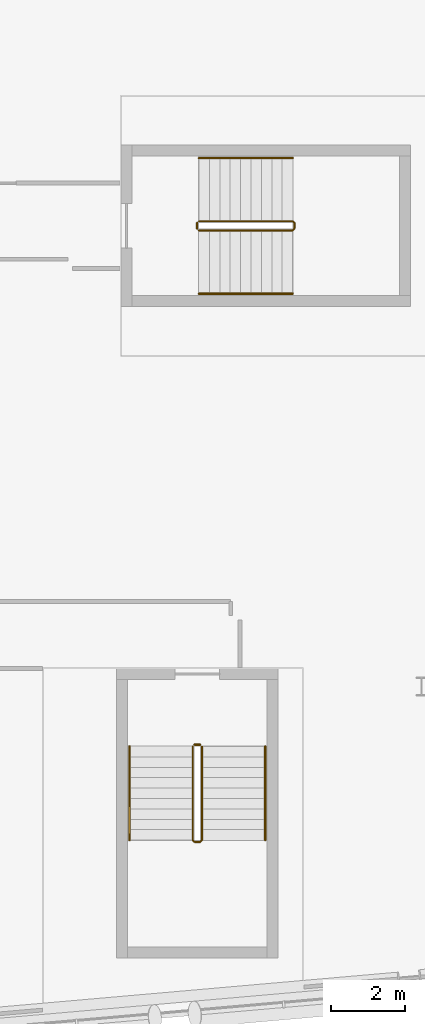
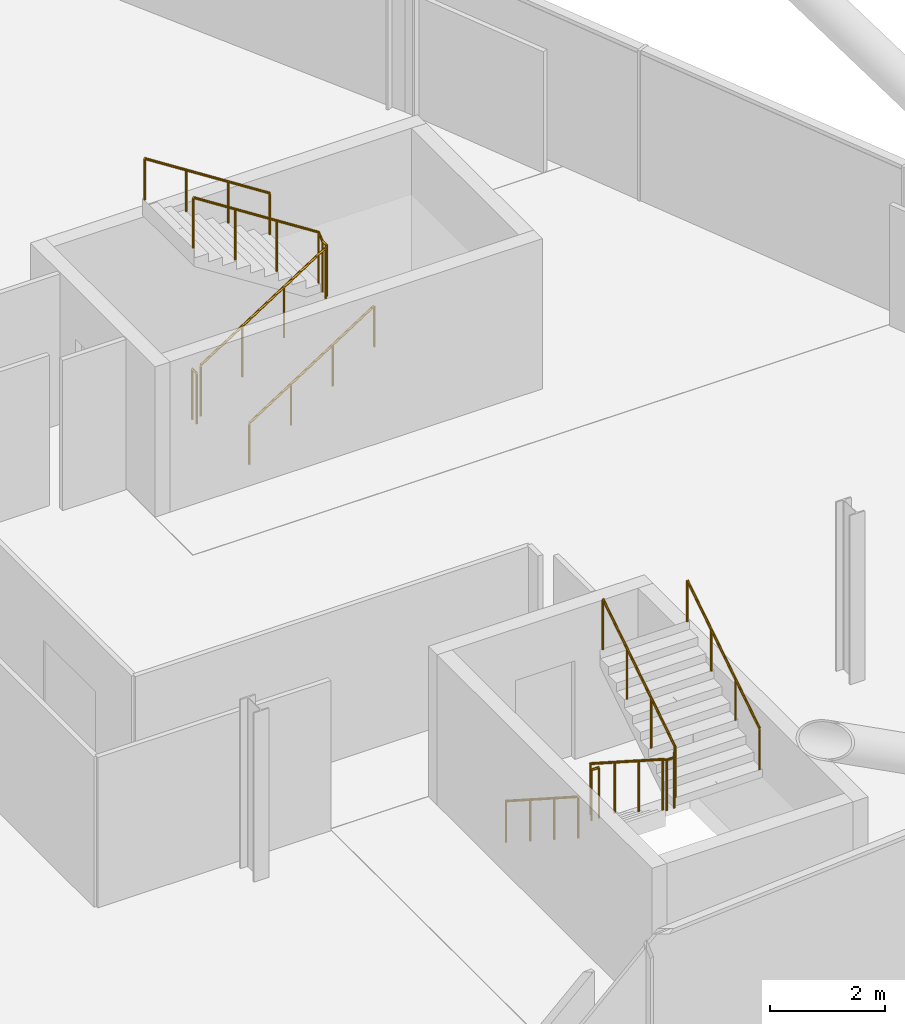
# One storey, part 25 of 26: 8 railings.
"""IFC4 building model written with IfcOpenShell, lengths in metres."""

from ifc_helpers import new_model, si_unit, direction, frame, origin, origin_2d, place, context, subcontext, project, spatial, circle, extrude, material, type_object, element, save


model = new_model("IFC4")

# Units and contexts
model_context = context("Model", 3, precision=1e-05, world=origin(), true_north=direction((0.0, 1.0)))
body_context = subcontext(model_context, "Body", "Model", "MODEL_VIEW")
ifc_project = project(units=[si_unit("LENGTHUNIT", "METRE"), si_unit("AREAUNIT", "SQUARE_METRE"), si_unit("VOLUMEUNIT", "CUBIC_METRE"), si_unit("PLANEANGLEUNIT", "RADIAN"), si_unit("MASSUNIT", "GRAM", prefix="KILO")], contexts=[model_context])

# Site, building, storey
site_placement = place(None, origin())
site = spatial("IfcSite", under=ifc_project, at=site_placement, CompositionType="ELEMENT")
building_placement = place(site_placement, origin())
building = spatial("IfcBuilding", under=site, at=building_placement, Name="Wharfspan Tower", CompositionType="ELEMENT")
storey_placement = place(building_placement, frame((0.0, 0.0, 184.300049)))
storey = spatial("IfcBuildingStorey", under=building, at=storey_placement, Name="L45", CompositionType="ELEMENT", Elevation=184.300049)

# Railings
ifc_material = material(Name="Steel S355J2", Category="steel")
railing_type_1 = type_object("IfcRailingType", Name="Stair guard 1100", PredefinedType="GUARDRAIL", material=ifc_material)
railing_1_placement = place(storey_placement, frame((65.836426, 9.883789, 0.179932)))
element("IfcRailing", 1, at=railing_1_placement, inside=storey, type_object=railing_type_1, Name="L45 ST5 stair guard 1", PredefinedType="GUARDRAIL", context=body_context, shape_type="SweptSolid", body=[
    extrude(circle(Radius=0.023926, at=origin_2d()), frame((0.0, 0.0, 1.076172), z_axis=(0.0, -0.841163, 0.540782), x_axis=(1.0, 0.0, 0.0)), (0.0, 0.0, 1.0), 2.99585),
    extrude(circle(Radius=0.023926, at=origin_2d()), frame((0.0, -2.52002, 2.696289), z_axis=(0.705376, -0.708834, 0.0), x_axis=(0.708834, 0.705376, 0.0)), (0.0, 0.0, 1.0), 0.070557),
    extrude(circle(Radius=0.023926, at=origin_2d()), frame((0.049805, -2.570068, 2.696289), z_axis=(1.0, 0.0, 0.0), x_axis=(0.0, 1.0, 0.0)), (0.0, 0.0, 1.0), 0.150146),
    extrude(circle(Radius=0.023926, at=origin_2d()), frame((0.199951, -2.570068, 2.696289), z_axis=(0.258848, 0.258848, 0.930589), x_axis=(-0.707107, 0.707107, 0.0)), (0.0, 0.0, 1.0), 0.193359),
    extrude(circle(Radius=0.023926, at=origin_2d()), frame((0.25, -2.52002, 2.875977), z_axis=(0.0, 0.8412, 0.540725), x_axis=(-1.0, 0.0, 0.0)), (0.0, 0.0, 1.0), 2.99585),
    extrude(circle(Radius=0.020996, at=origin_2d()), origin(), (0.0, 0.0, 1.0), 1.052002),
    extrude(circle(Radius=0.020996, at=origin_2d()), frame((0.0, -0.840088, 0.540039)), (0.0, 0.0, 1.0), 1.052002),
    extrude(circle(Radius=0.020996, at=origin_2d()), frame((0.0, -1.679932, 1.080078)), (0.0, 0.0, 1.0), 1.052002),
    extrude(circle(Radius=0.020996, at=origin_2d()), frame((0.0, -2.52002, 1.620117)), (0.0, 0.0, 1.0), 1.052002),
    extrude(circle(Radius=0.020996, at=origin_2d()), frame((0.049805, -2.570068, 1.620117)), (0.0, 0.0, 1.0), 1.052002),
    extrude(circle(Radius=0.020996, at=origin_2d()), frame((0.199951, -2.570068, 1.620117)), (0.0, 0.0, 1.0), 1.052002),
    extrude(circle(Radius=0.020996, at=origin_2d()), frame((0.25, -2.52002, 1.800049)), (0.0, 0.0, 1.0), 1.052002),
    extrude(circle(Radius=0.020996, at=origin_2d()), frame((0.25, -1.679932, 2.340088)), (0.0, 0.0, 1.0), 1.052002),
    extrude(circle(Radius=0.020996, at=origin_2d()), frame((0.25, -0.840088, 2.879883)), (0.0, 0.0, 1.0), 1.052002),
    extrude(circle(Radius=0.020996, at=origin_2d()), frame((0.25, 0.0, 3.419922)), (0.0, 0.0, 1.0), 1.052002),
])
railing_2_placement = place(storey_placement, frame((65.88623, 9.933594, 0.0)))
element("IfcRailing", 2, at=railing_2_placement, inside=storey, type_object=railing_type_1, Name="L45 ST5 stair guard 2", PredefinedType="GUARDRAIL", context=body_context, shape_type="SweptSolid", body=[
    extrude(circle(Radius=0.023926, at=origin_2d()), frame((0.0, 0.0, 1.076172), z_axis=(1.0, 0.0, 0.0), x_axis=(0.0, 1.0, 0.0)), (0.0, 0.0, 1.0), 0.150146),
    extrude(circle(Radius=0.020996, at=origin_2d()), origin(), (0.0, 0.0, 1.0), 1.052002),
    extrude(circle(Radius=0.020996, at=origin_2d()), frame((0.150146, 0.0, 0.0)), (0.0, 0.0, 1.0), 1.052002),
])
railing_3_placement = place(storey_placement, frame((66.004639, 23.774902, 0.179932)))
element("IfcRailing", 3, at=railing_3_placement, inside=storey, type_object=railing_type_1, Name="L45 ST6 stair guard 1", PredefinedType="GUARDRAIL", context=body_context, shape_type="SweptSolid", body=[
    extrude(circle(Radius=0.023926, at=origin_2d()), frame((0.0, 0.0, 1.076172), z_axis=(0.841163, 0.0, 0.540782), x_axis=(0.0, 1.0, 0.0)), (0.0, 0.0, 1.0), 2.99585),
    extrude(circle(Radius=0.023926, at=origin_2d()), frame((2.52002, 0.0, 2.696289), z_axis=(0.707107, 0.707107, 0.0), x_axis=(-0.707107, 0.707107, 0.0)), (0.0, 0.0, 1.0), 0.070801),
    extrude(circle(Radius=0.023926, at=origin_2d()), frame((2.570068, 0.050049, 2.696289), z_axis=(0.0, 1.0, 0.0), x_axis=(-1.0, 0.0, 0.0)), (0.0, 0.0, 1.0), 0.150146),
    extrude(circle(Radius=0.023926, at=origin_2d()), frame((2.570068, 0.200195, 2.696289), z_axis=(-0.258932, 0.257669, 0.930892), x_axis=(-0.705372, -0.708833, 1e-06)), (0.0, 0.0, 1.0), 0.193359),
    extrude(circle(Radius=0.023926, at=origin_2d()), frame((2.52002, 0.25, 2.875977), z_axis=(-0.8412, 0.0, 0.540725), x_axis=(0.0, -1.0, 0.0)), (0.0, 0.0, 1.0), 2.99585),
    extrude(circle(Radius=0.020996, at=origin_2d()), origin(), (0.0, 0.0, 1.0), 1.052002),
    extrude(circle(Radius=0.020996, at=origin_2d()), frame((0.840088, 0.0, 0.540039)), (0.0, 0.0, 1.0), 1.052002),
    extrude(circle(Radius=0.020996, at=origin_2d()), frame((1.679932, 0.0, 1.080078)), (0.0, 0.0, 1.0), 1.052002),
    extrude(circle(Radius=0.020996, at=origin_2d()), frame((2.52002, 0.0, 1.620117)), (0.0, 0.0, 1.0), 1.052002),
    extrude(circle(Radius=0.020996, at=origin_2d()), frame((2.570068, 0.050049, 1.620117)), (0.0, 0.0, 1.0), 1.052002),
    extrude(circle(Radius=0.020996, at=origin_2d()), frame((2.570068, 0.200195, 1.620117)), (0.0, 0.0, 1.0), 1.052002),
    extrude(circle(Radius=0.020996, at=origin_2d()), frame((2.52002, 0.25, 1.800049)), (0.0, 0.0, 1.0), 1.052002),
    extrude(circle(Radius=0.020996, at=origin_2d()), frame((1.679932, 0.25, 2.340088)), (0.0, 0.0, 1.0), 1.052002),
    extrude(circle(Radius=0.020996, at=origin_2d()), frame((0.840088, 0.25, 2.879883)), (0.0, 0.0, 1.0), 1.052002),
    extrude(circle(Radius=0.020996, at=origin_2d()), frame((0.0, 0.25, 3.419922)), (0.0, 0.0, 1.0), 1.052002),
])
railing_4_placement = place(storey_placement, frame((65.95459, 23.824951, 0.0)))
element("IfcRailing", 4, at=railing_4_placement, inside=storey, type_object=railing_type_1, Name="L45 ST6 stair guard 2", PredefinedType="GUARDRAIL", context=body_context, shape_type="SweptSolid", body=[
    extrude(circle(Radius=0.023926, at=origin_2d()), frame((0.0, 0.0, 1.076172), z_axis=(0.0, 1.0, 0.0), x_axis=(-1.0, 0.0, 0.0)), (0.0, 0.0, 1.0), 0.150146),
    extrude(circle(Radius=0.020996, at=origin_2d()), origin(), (0.0, 0.0, 1.0), 1.052002),
    extrude(circle(Radius=0.020996, at=origin_2d()), frame((0.0, 0.150146, 0.0)), (0.0, 0.0, 1.0), 1.052002),
])
railing_type_2 = type_object("IfcRailingType", Name="Stair handrail 900", PredefinedType="HANDRAIL", material=ifc_material)
railing_5_placement = place(storey_placement, frame((64.13623, 9.883789, 0.179932)))
element("IfcRailing", 5, at=railing_5_placement, inside=storey, type_object=railing_type_2, Name="L45 ST5 stair handrail 1", PredefinedType="HANDRAIL", context=body_context, shape_type="SweptSolid", body=[
    extrude(circle(Radius=0.023926, at=origin_2d()), frame((0.0, 0.0, 0.875977), z_axis=(0.0, -0.841163, 0.540782), x_axis=(1.0, 0.0, 0.0)), (0.0, 0.0, 1.0), 2.99585),
    extrude(circle(Radius=0.020996, at=origin_2d()), origin(), (0.0, 0.0, 1.0), 0.851807),
    extrude(circle(Radius=0.020996, at=origin_2d()), frame((0.0, -0.840088, 0.540039)), (0.0, 0.0, 1.0), 0.851807),
    extrude(circle(Radius=0.020996, at=origin_2d()), frame((0.0, -1.679932, 1.080078)), (0.0, 0.0, 1.0), 0.851807),
    extrude(circle(Radius=0.020996, at=origin_2d()), frame((0.0, -2.52002, 1.620117)), (0.0, 0.0, 1.0), 0.851807),
])
railing_6_placement = place(storey_placement, frame((67.786377, 7.36377, 1.97998)))
element("IfcRailing", 6, at=railing_6_placement, inside=storey, type_object=railing_type_2, Name="L45 ST5 stair handrail 2", PredefinedType="HANDRAIL", context=body_context, shape_type="SweptSolid", body=[
    extrude(circle(Radius=0.023926, at=origin_2d()), frame((0.0, 0.0, 0.875977), z_axis=(0.0, 0.8412, 0.540725), x_axis=(-1.0, 0.0, 0.0)), (0.0, 0.0, 1.0), 2.99585),
    extrude(circle(Radius=0.020996, at=origin_2d()), origin(), (0.0, 0.0, 1.0), 0.851807),
    extrude(circle(Radius=0.020996, at=origin_2d()), frame((0.0, 0.840088, 0.540039)), (0.0, 0.0, 1.0), 0.851807),
    extrude(circle(Radius=0.020996, at=origin_2d()), frame((0.0, 1.679932, 1.079834)), (0.0, 0.0, 1.0), 0.851807),
    extrude(circle(Radius=0.020996, at=origin_2d()), frame((0.0, 2.52002, 1.619873)), (0.0, 0.0, 1.0), 0.851807),
])
railing_7_placement = place(storey_placement, frame((66.004639, 22.074951, 0.179932)))
element("IfcRailing", 7, at=railing_7_placement, inside=storey, type_object=railing_type_2, Name="L45 ST6 stair handrail 1", PredefinedType="HANDRAIL", context=body_context, shape_type="SweptSolid", body=[
    extrude(circle(Radius=0.023926, at=origin_2d()), frame((0.0, 0.0, 0.875977), z_axis=(0.841163, 0.0, 0.540782), x_axis=(0.0, 1.0, 0.0)), (0.0, 0.0, 1.0), 2.99585),
    extrude(circle(Radius=0.020996, at=origin_2d()), origin(), (0.0, 0.0, 1.0), 0.851807),
    extrude(circle(Radius=0.020996, at=origin_2d()), frame((0.840088, 0.0, 0.540039)), (0.0, 0.0, 1.0), 0.851807),
    extrude(circle(Radius=0.020996, at=origin_2d()), frame((1.679932, 0.0, 1.080078)), (0.0, 0.0, 1.0), 0.851807),
    extrude(circle(Radius=0.020996, at=origin_2d()), frame((2.52002, 0.0, 1.620117)), (0.0, 0.0, 1.0), 0.851807),
])
railing_8_placement = place(storey_placement, frame((68.524658, 25.725098, 1.97998)))
element("IfcRailing", 8, at=railing_8_placement, inside=storey, type_object=railing_type_2, Name="L45 ST6 stair handrail 2", PredefinedType="HANDRAIL", context=body_context, shape_type="SweptSolid", body=[
    extrude(circle(Radius=0.023926, at=origin_2d()), frame((0.0, 0.0, 0.875977), z_axis=(-0.8412, 0.0, 0.540725), x_axis=(0.0, -1.0, 0.0)), (0.0, 0.0, 1.0), 2.99585),
    extrude(circle(Radius=0.020996, at=origin_2d()), origin(), (0.0, 0.0, 1.0), 0.851807),
    extrude(circle(Radius=0.020996, at=origin_2d()), frame((-0.840088, 0.0, 0.540039)), (0.0, 0.0, 1.0), 0.851807),
    extrude(circle(Radius=0.020996, at=origin_2d()), frame((-1.679932, 0.0, 1.079834)), (0.0, 0.0, 1.0), 0.851807),
    extrude(circle(Radius=0.020996, at=origin_2d()), frame((-2.52002, 0.0, 1.619873)), (0.0, 0.0, 1.0), 0.851807),
])

save(model, "model.ifc")
